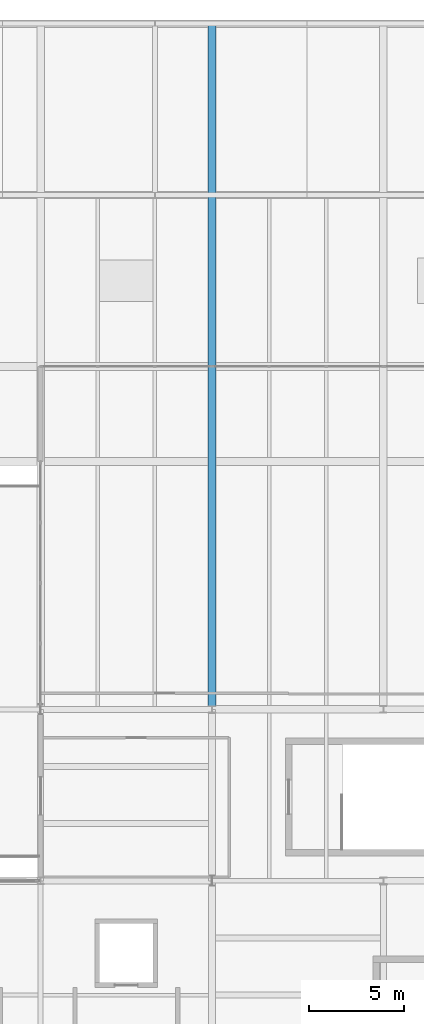
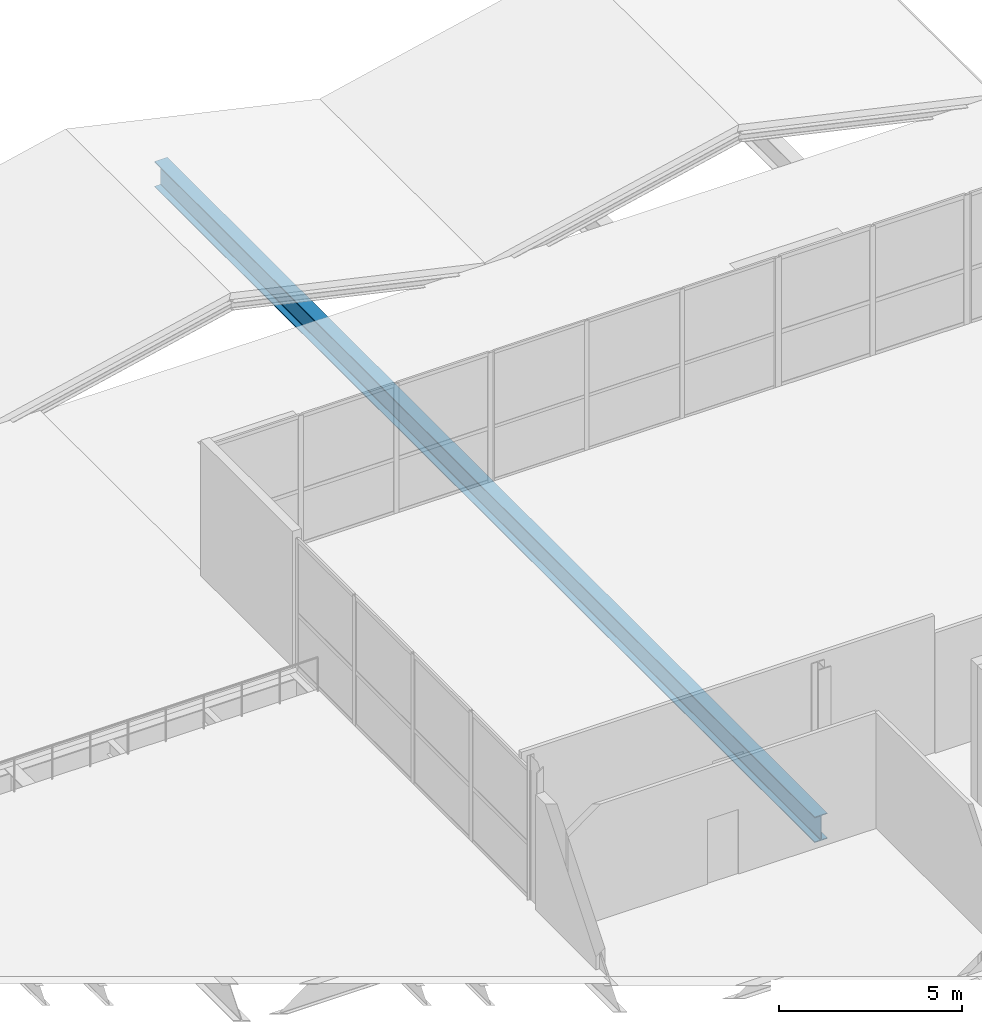
# One storey, part 25 of 50: 1 beam.
"""IFC4 building model written with IfcOpenShell, lengths in metres."""

from ifc_helpers import new_model, si_unit, direction, frame, origin, origin_2d, place, context, subcontext, project, spatial, i_section, extrude, material, material_profile, profile_set, type_object, element, save


model = new_model("IFC4")

# Units and contexts
model_context = context("Model", 3, precision=1e-05, world=origin(), true_north=direction((0.0, 1.0)))
body_context = subcontext(model_context, "Body", "Model", "MODEL_VIEW")
ifc_project = project(units=[si_unit("LENGTHUNIT", "METRE"), si_unit("AREAUNIT", "SQUARE_METRE"), si_unit("VOLUMEUNIT", "CUBIC_METRE"), si_unit("PLANEANGLEUNIT", "RADIAN"), si_unit("MASSUNIT", "GRAM", prefix="KILO")], contexts=[model_context])

# Site, building, storey
site_placement = place(None, origin())
site = spatial("IfcSite", under=ifc_project, at=site_placement, CompositionType="ELEMENT")
building_placement = place(site_placement, origin())
building = spatial("IfcBuilding", under=site, at=building_placement, Name="Qamarlyn Nura Convention Centre", CompositionType="ELEMENT")
storey_placement = place(building_placement, frame((0.0, 0.0, 20.39990234375)))
storey = spatial("IfcBuildingStorey", under=building, at=storey_placement, Name="L04", CompositionType="ELEMENT", Elevation=20.39990234375)

# Beam
ifc_material = material(Name="Steel ASTM A992", Category="steel")
ifc_material_profile = material_profile(ifc_material, i_section(OverallWidth=0.39990234375, OverallDepth=0.85498046875, WebThickness=0.018310546875, FlangeThickness=0.029296875, FilletRadius=0.02197265625, at=origin_2d()), Name="W840X299")
ifc_profile_set = profile_set([ifc_material_profile], Name="Steel ASTM A992")
beam_type = type_object("IfcBeamType", Name="BM-GIRD-840", PredefinedType="BEAM", material=ifc_profile_set)
beam_placement = place(storey_placement, frame((171.0, 90.0, -0.62744140625), z_axis=(0.0, 1.0, 0.0), x_axis=(-1.0, 0.0, 0.0)))
element("IfcBeam", 1, at=beam_placement, inside=storey, type_object=beam_type, Name="L04 girder 15 L-Q", PredefinedType="BEAM", context=body_context, shape_type="SweptSolid", body=[
    extrude(i_section(OverallWidth=0.39990234375, OverallDepth=0.85498046875, WebThickness=0.018310546875, FlangeThickness=0.029296875, FilletRadius=0.02197265625, at=origin_2d()), origin(), (0.0, 0.0, 1.0), 36.0),
])

save(model, "model.ifc")
